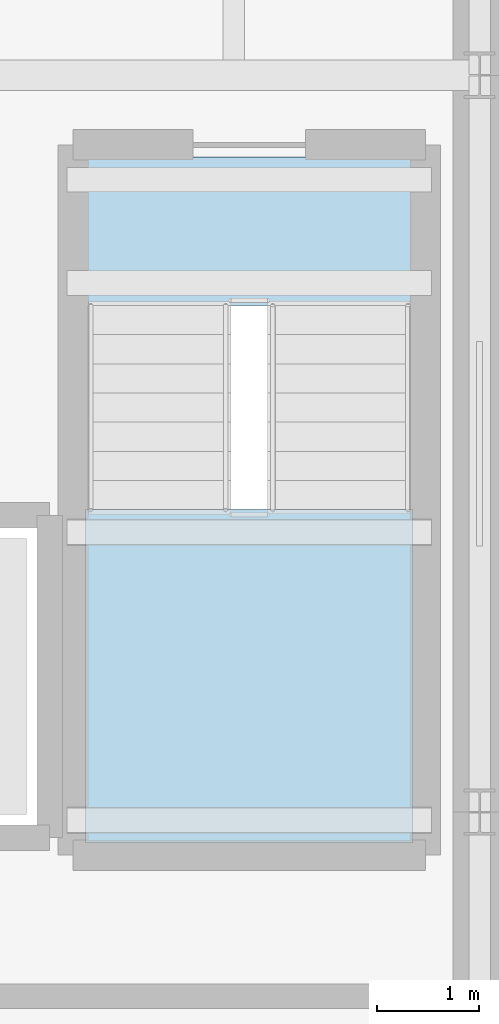
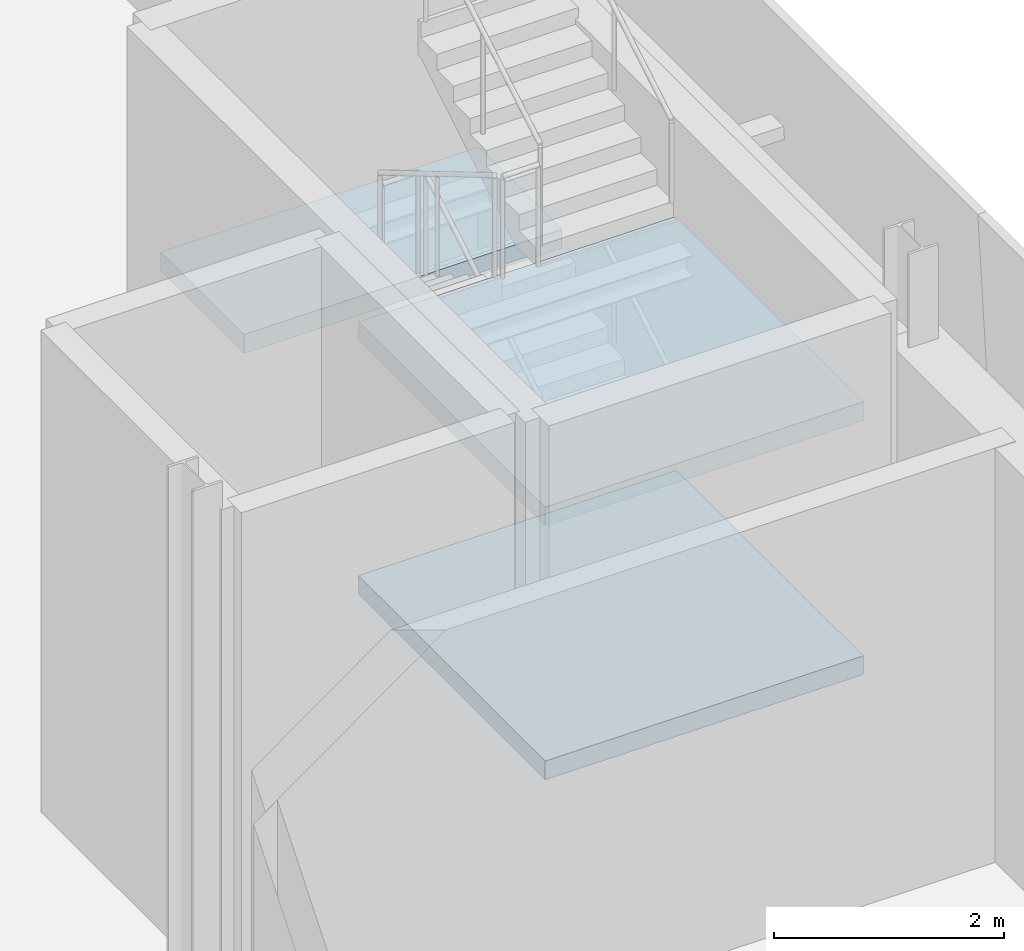
# One storey, part 64 of 120: 3 slabs, 1 element without a shape of its own.
"""IFC4 building model written with IfcOpenShell, lengths in metres."""

import ifcopenshell
import ifcopenshell.guid

model = None  # the IFC model being written
_history = None  # IfcOwnerHistory: only IFC2X3 demands one
_inside = {}  # id of a spatial element -> (the spatial element, [elements in it])
_under = {}  # id of a project, library or spatial element -> (it, [spatial elements below it])
_declared = {}  # id of a project -> (the project, [libraries it declares])
_typed = {}  # id of a type object -> (the type object, [elements of that type])
_made_of = {}  # id of a material, layer set ... -> (it, [elements and type objects made of it])


def new_model(schema):
    """Start an empty IFC model of exactly this schema.

    Asked for "IFC4X3", IfcOpenShell would pick the latest addendum, in which some entities
    have other attributes; the version numbers below select the first issue.
    IFC2X3 requires an IfcOwnerHistory on every rooted entity: one is made here for all.
    """
    global model, _history
    if schema == "IFC4X3":
        model = ifcopenshell.file(schema_version=(4, 3, 0, 0))
    else:
        model = ifcopenshell.file(schema=schema)
    _inside.clear()
    _under.clear()
    _declared.clear()
    _typed.clear()
    _made_of.clear()
    _history = None
    if model.schema == "IFC2X3":
        org = make("IfcOrganization", Name="unknown")
        user = make(
            "IfcPersonAndOrganization",
            ThePerson=make("IfcPerson", FamilyName="unknown"),
            TheOrganization=org,
        )
        app = make(
            "IfcApplication",
            ApplicationDeveloper=org,
            Version="unknown",
            ApplicationFullName="unknown",
            ApplicationIdentifier="unknown",
        )
        _history = make(
            "IfcOwnerHistory",
            OwningUser=user,
            OwningApplication=app,
            ChangeAction="ADDED",
            CreationDate=0,
        )
    return model


def make(cls, **values):
    """One entity of the class cls with the attributes given. An attribute that is None is left unset."""
    return model.create_entity(
        cls, **{name: value for name, value in values.items() if value is not None}
    )


def rooted(cls, **values):
    """An entity with a GlobalId (a new one), such as an element, a storey or a relation."""
    return make(cls, GlobalId=ifcopenshell.guid.new(), OwnerHistory=_history, **values)


def si_unit(unit_type, name, prefix=None):
    """IfcSIUnit, for example si_unit("LENGTHUNIT", "METRE", prefix="MILLI")."""
    return make("IfcSIUnit", UnitType=unit_type, Prefix=prefix, Name=name)


def assignment(units):
    """IfcUnitAssignment: the units of a project."""
    return None if units is None else make("IfcUnitAssignment", Units=units)


def point(xyz):
    """IfcCartesianPoint."""
    return None if xyz is None else make("IfcCartesianPoint", Coordinates=xyz)


def direction(xyz):
    """IfcDirection."""
    return None if xyz is None else make("IfcDirection", DirectionRatios=xyz)


def frame(location, z_axis=None, x_axis=None):
    """IfcAxis2Placement3D, a coordinate frame: its origin and axes. An axis left out is left unset."""
    return make(
        "IfcAxis2Placement3D",
        Location=point(location),
        Axis=direction(z_axis),
        RefDirection=direction(x_axis),
    )


def origin():
    """The frame at (0, 0, 0) with its axes left unset."""
    return frame((0.0, 0.0, 0.0))


def place(relative_to, where):
    """IfcLocalPlacement: puts the frame where relative to a parent placement (None: the world)."""
    return make(
        "IfcLocalPlacement", PlacementRelTo=relative_to, RelativePlacement=where
    )


def context(
    kind, dimensions, precision=None, world=None, true_north=None, identifier=None
):
    """IfcGeometricRepresentationContext, for example the 3D "Model" context."""
    return make(
        "IfcGeometricRepresentationContext",
        ContextIdentifier=identifier,
        ContextType=kind,
        CoordinateSpaceDimension=dimensions,
        Precision=precision,
        WorldCoordinateSystem=world,
        TrueNorth=true_north,
    )


def subcontext(parent, identifier, kind, view, scale=None):
    """IfcGeometricRepresentationSubContext, for example "Body" below "Model"."""
    return make(
        "IfcGeometricRepresentationSubContext",
        ContextIdentifier=identifier,
        ContextType=kind,
        ParentContext=parent,
        TargetScale=scale,
        TargetView=view,
    )


def project(units=None, contexts=None):
    """IfcProject with its units and contexts."""
    return rooted(
        "IfcProject",
        Name="project",
        RepresentationContexts=contexts,
        UnitsInContext=assignment(units),
    )


def spatial(cls, under=None, at=None, **own):
    """A site, building, storey or space (cls), placed at a placement, below another one or the project."""
    s = rooted(cls, ObjectPlacement=at, **own)
    if under is not None:
        _under.setdefault(under.id(), (under, []))[1].append(s)
    return s


def polyline(points):
    """IfcPolyline through the points."""
    return make("IfcPolyline", Points=[point(p) for p in points])


def outline(outer, holes=None, kind="AREA"):
    """IfcArbitraryClosedProfileDef: a profile drawn as a closed curve; with holes, ...WithVoids."""
    if holes is None:
        return make("IfcArbitraryClosedProfileDef", ProfileType=kind, OuterCurve=outer)
    return make(
        "IfcArbitraryProfileDefWithVoids",
        ProfileType=kind,
        OuterCurve=outer,
        InnerCurves=holes,
    )


def extrude(swept, where, along, depth):
    """IfcExtrudedAreaSolid: the profile swept, set in the frame where, extruded along a direction by depth."""
    return make(
        "IfcExtrudedAreaSolid",
        SweptArea=swept,
        Position=where,
        ExtrudedDirection=direction(along),
        Depth=depth,
    )


def shape(context_of_items, identifier, shape_type, items):
    """IfcShapeRepresentation: the items that make up one representation, for example the "Body"."""
    return make(
        "IfcShapeRepresentation",
        ContextOfItems=context_of_items,
        RepresentationIdentifier=identifier,
        RepresentationType=shape_type,
        Items=items,
    )


def material(Name=None, Category=None):
    """IfcMaterial."""
    return make("IfcMaterial", Name=Name, Category=Category)


def layer(
    of_material, thickness, ventilated=None, Name=None, Category=None, Priority=None
):
    """IfcMaterialLayer: one layer of a wall or slab, of a material (None: an air gap)."""
    return make(
        "IfcMaterialLayer",
        Material=of_material,
        LayerThickness=thickness,
        IsVentilated=ventilated,
        Name=Name,
        Category=Category,
        Priority=Priority,
    )


def layer_set(layers, Name=None):
    """IfcMaterialLayerSet."""
    return make("IfcMaterialLayerSet", MaterialLayers=layers, LayerSetName=Name)


def made_of(thing, what):
    """Note that an element or type object is made of a material, layer set ...; save() writes the relation."""
    if what is not None:
        _made_of.setdefault(what.id(), (what, []))[1].append(thing)
    return thing


def type_object(cls, material=None, **own):
    """A type object (cls), such as IfcWallType, which elements share."""
    return made_of(rooted(cls, **own), material)


def element(
    cls,
    number,
    at=None,
    inside=None,
    cuts=None,
    type_object=None,
    material=None,
    context=None,
    identifier="Body",
    shape_type=None,
    held_by="IfcProductDefinitionShape",
    body=None,
    shapes=None,
    **own,
):
    """One element of the class cls, such as IfcWall. Its Tag is "e" and its number.

    at: its placement. inside: the storey or other place that contains it. cuts: it is an
    opening in that element (IfcRelVoidsElement). A single representation is given by context,
    identifier, shape_type and body (its items); several are given by shapes. held_by: the class
    of the entity that holds the representations. save() writes the other relations.
    """
    e = rooted(cls, Tag="e%d" % number, ObjectPlacement=at, **own)
    if body is not None:
        shapes = [shape(context, identifier, shape_type, body)]
    if shapes is not None:
        e.Representation = make(held_by, Representations=shapes)
    if inside is not None:
        _inside.setdefault(inside.id(), (inside, []))[1].append(e)
    if cuts is not None:
        rooted(
            "IfcRelVoidsElement", RelatingBuildingElement=cuts, RelatedOpeningElement=e
        )
    if type_object is not None:
        _typed.setdefault(type_object.id(), (type_object, []))[1].append(e)
    return made_of(e, material)


def aggregate(whole, parts):
    """IfcRelAggregates: a whole, such as a stair, and the parts it consists of."""
    return rooted("IfcRelAggregates", RelatingObject=whole, RelatedObjects=parts)


def save(model, path):
    """Write the relations noted so far, then the file.

    IfcRelAggregates (storeys below a building ...), IfcRelContainedInSpatialStructure (elements
    in a storey), IfcRelDefinesByType, IfcRelAssociatesMaterial and IfcRelDeclares: one each for
    every whole, place, type object, material and project.
    """
    for whole, parts in _under.values():
        aggregate(whole, parts)
    for where, things in _inside.values():
        rooted(
            "IfcRelContainedInSpatialStructure",
            RelatedElements=things,
            RelatingStructure=where,
        )
    for kind, things in _typed.values():
        rooted("IfcRelDefinesByType", RelatedObjects=things, RelatingType=kind)
    for what, things in _made_of.values():
        rooted("IfcRelAssociatesMaterial", RelatedObjects=things, RelatingMaterial=what)
    for by, libraries in _declared.values():
        rooted("IfcRelDeclares", RelatingContext=by, RelatedDefinitions=libraries)
    model.write(path)


model = new_model("IFC4")

# Units and contexts
model_context = context("Model", 3, precision=1e-05, world=origin(), true_north=direction((0.0, 1.0)))
body_context = subcontext(model_context, "Body", "Model", "MODEL_VIEW")
ifc_project = project(units=[si_unit("LENGTHUNIT", "METRE"), si_unit("AREAUNIT", "SQUARE_METRE"), si_unit("VOLUMEUNIT", "CUBIC_METRE"), si_unit("PLANEANGLEUNIT", "RADIAN"), si_unit("MASSUNIT", "GRAM", prefix="KILO")], contexts=[model_context])

# Site, building, storey
site_placement = place(None, origin())
site = spatial("IfcSite", under=ifc_project, at=site_placement, CompositionType="ELEMENT")
building_placement = place(site_placement, origin())
building = spatial("IfcBuilding", under=site, at=building_placement, Name="Narikvali Park Central Library", CompositionType="ELEMENT")
storey_placement = place(building_placement, origin())
storey = spatial("IfcBuildingStorey", under=building, at=storey_placement, Name="L00", CompositionType="ELEMENT", Elevation=0.0)

# Stair, slabs
ifc_material = material(Name="Concrete C35/45", Category="concrete")
stair_type = type_object("IfcStairType", Name="Core Enclosed Two-Flight Exit Stair", PredefinedType="HALF_TURN_STAIR", material=ifc_material)
stair_placement = place(storey_placement, origin())
stair = element("IfcStair", 1, at=stair_placement, inside=storey, type_object=stair_type, Name="L00 Exit Stair ST-06", PredefinedType="HALF_TURN_STAIR")
ifc_layer = layer(ifc_material, 0.199951171875, Name="Concrete C35/45")
ifc_layer_set = layer_set([ifc_layer], Name="Concrete C35/45")
slab_type = type_object("IfcSlabType", Name="Stair Half-Landing Concrete Slab 200", PredefinedType="LANDING", material=ifc_layer_set)
slab_1_placement = place(storey_placement, frame((0.0, 0.0, 1.14990234375)))
slab_1 = element("IfcSlab", 2, at=slab_1_placement, type_object=slab_type, Name="ST-06 landing 1", PredefinedType="LANDING", context=body_context, shape_type="SweptSolid", body=[
    extrude(outline(polyline([(161.75, 103.7548828125), (161.75, 100.5), (164.949951171875, 100.5), (164.949951171875, 103.7548828125), (161.75, 103.7548828125)])), origin(), (0.0, 0.0, 1.0), 0.2001953125),
])
slab_2_placement = place(storey_placement, frame((0.0, 0.0, 2.5)))
slab_2 = element("IfcSlab", 3, at=slab_2_placement, type_object=slab_type, Name="ST-06 landing 2", PredefinedType="LANDING", context=body_context, shape_type="SweptSolid", body=[
    extrude(outline(polyline([(161.75, 107.199951171875), (161.75, 105.75), (164.949951171875, 105.75), (164.949951171875, 107.199951171875), (161.75, 107.199951171875)])), origin(), (0.0, 0.0, 1.0), 0.199951171875),
])
slab_3_placement = place(storey_placement, frame((0.0, 0.0, 3.85009765625)))
slab_3 = element("IfcSlab", 4, at=slab_3_placement, type_object=slab_type, Name="ST-06 landing 3", PredefinedType="LANDING", context=body_context, shape_type="SweptSolid", body=[
    extrude(outline(polyline([(161.75, 103.7548828125), (161.75, 100.5), (164.949951171875, 100.5), (164.949951171875, 103.7548828125), (161.75, 103.7548828125)])), origin(), (0.0, 0.0, 1.0), 0.199951171875),
])
aggregate(stair, [slab_1, slab_2, slab_3])

save(model, "model.ifc")
